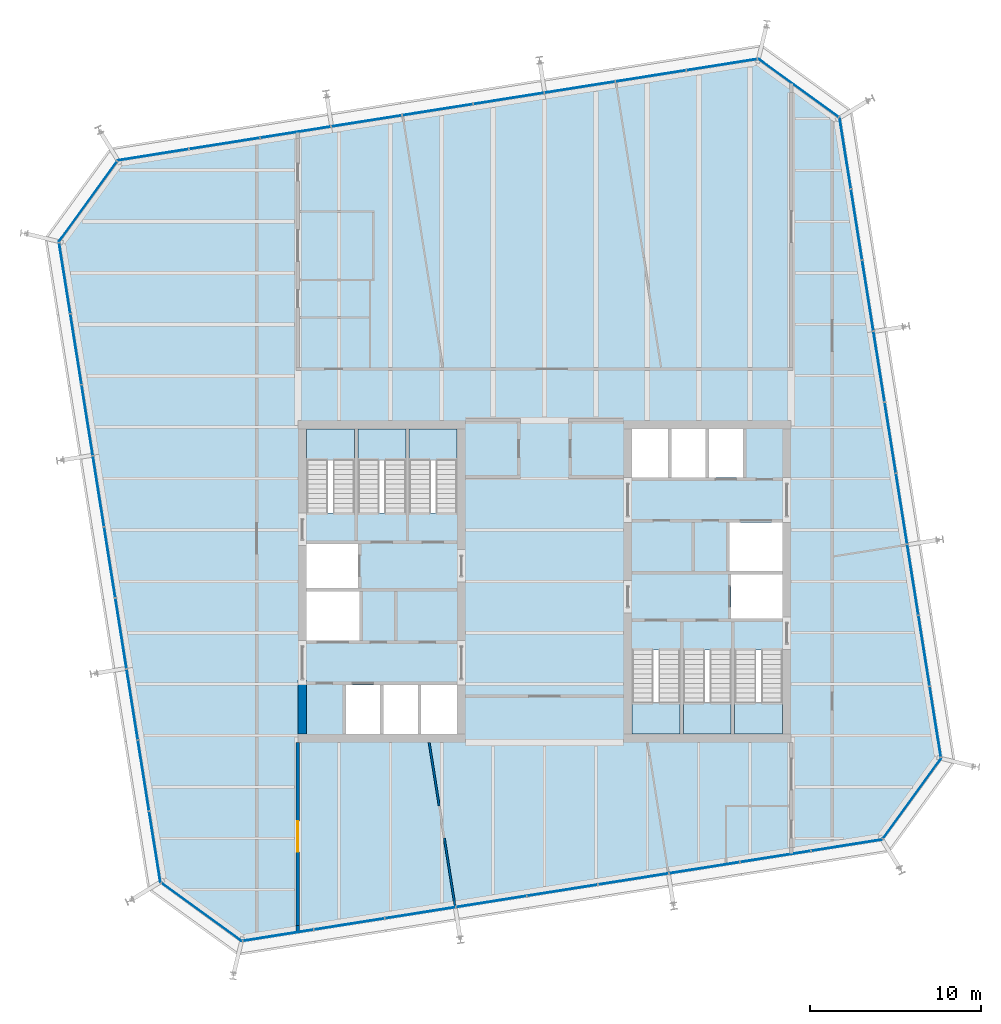
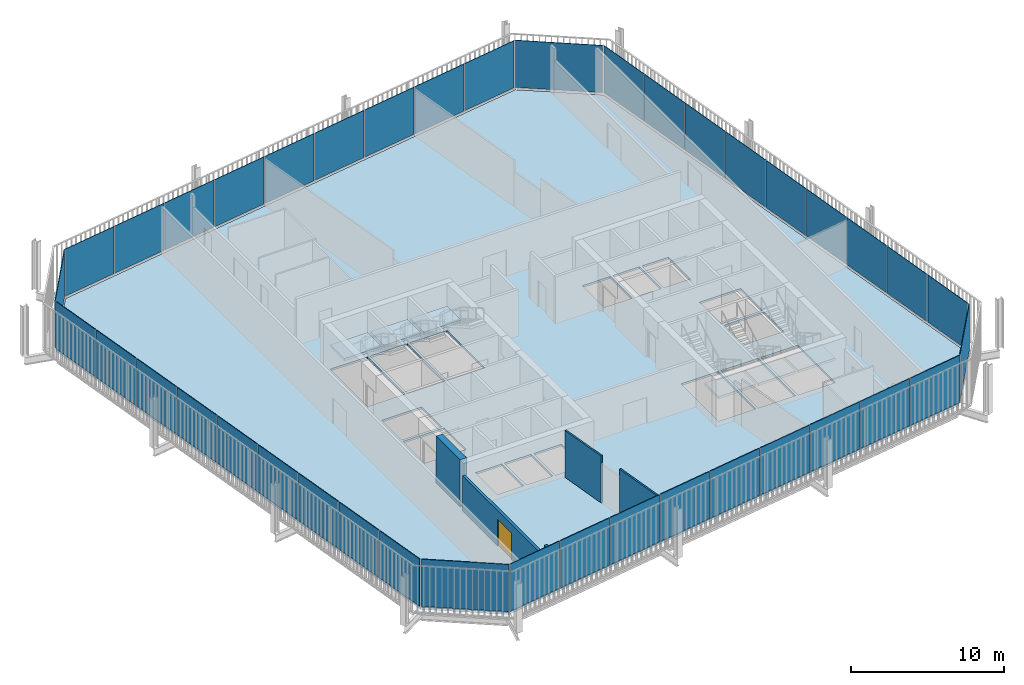
# One storey, part 15 of 20: 40 plates, 7 slabs, 5 walls, 1 door, 1 opening, 14 elements without a shape of their own.
"""IFC4 building model written with IfcOpenShell, lengths in metres."""

import ifcopenshell
import ifcopenshell.guid

model = None  # the IFC model being written
_history = None  # IfcOwnerHistory: only IFC2X3 demands one
_inside = {}  # id of a spatial element -> (the spatial element, [elements in it])
_under = {}  # id of a project, library or spatial element -> (it, [spatial elements below it])
_declared = {}  # id of a project -> (the project, [libraries it declares])
_typed = {}  # id of a type object -> (the type object, [elements of that type])
_made_of = {}  # id of a material, layer set ... -> (it, [elements and type objects made of it])


def new_model(schema):
    """Start an empty IFC model of exactly this schema.

    Asked for "IFC4X3", IfcOpenShell would pick the latest addendum, in which some entities
    have other attributes; the version numbers below select the first issue.
    IFC2X3 requires an IfcOwnerHistory on every rooted entity: one is made here for all.
    """
    global model, _history
    if schema == "IFC4X3":
        model = ifcopenshell.file(schema_version=(4, 3, 0, 0))
    else:
        model = ifcopenshell.file(schema=schema)
    _inside.clear()
    _under.clear()
    _declared.clear()
    _typed.clear()
    _made_of.clear()
    _history = None
    if model.schema == "IFC2X3":
        org = make("IfcOrganization", Name="unknown")
        user = make(
            "IfcPersonAndOrganization",
            ThePerson=make("IfcPerson", FamilyName="unknown"),
            TheOrganization=org,
        )
        app = make(
            "IfcApplication",
            ApplicationDeveloper=org,
            Version="unknown",
            ApplicationFullName="unknown",
            ApplicationIdentifier="unknown",
        )
        _history = make(
            "IfcOwnerHistory",
            OwningUser=user,
            OwningApplication=app,
            ChangeAction="ADDED",
            CreationDate=0,
        )
    return model


def make(cls, **values):
    """One entity of the class cls with the attributes given. An attribute that is None is left unset."""
    return model.create_entity(
        cls, **{name: value for name, value in values.items() if value is not None}
    )


def rooted(cls, **values):
    """An entity with a GlobalId (a new one), such as an element, a storey or a relation."""
    return make(cls, GlobalId=ifcopenshell.guid.new(), OwnerHistory=_history, **values)


def si_unit(unit_type, name, prefix=None):
    """IfcSIUnit, for example si_unit("LENGTHUNIT", "METRE", prefix="MILLI")."""
    return make("IfcSIUnit", UnitType=unit_type, Prefix=prefix, Name=name)


def assignment(units):
    """IfcUnitAssignment: the units of a project."""
    return None if units is None else make("IfcUnitAssignment", Units=units)


def point(xyz):
    """IfcCartesianPoint."""
    return None if xyz is None else make("IfcCartesianPoint", Coordinates=xyz)


def direction(xyz):
    """IfcDirection."""
    return None if xyz is None else make("IfcDirection", DirectionRatios=xyz)


def frame(location, z_axis=None, x_axis=None):
    """IfcAxis2Placement3D, a coordinate frame: its origin and axes. An axis left out is left unset."""
    return make(
        "IfcAxis2Placement3D",
        Location=point(location),
        Axis=direction(z_axis),
        RefDirection=direction(x_axis),
    )


def frame_2d(location, x_axis=None):
    """IfcAxis2Placement2D, a coordinate frame in the plane: its origin and x axis."""
    return make(
        "IfcAxis2Placement2D", Location=point(location), RefDirection=direction(x_axis)
    )


def origin():
    """The frame at (0, 0, 0) with its axes left unset."""
    return frame((0.0, 0.0, 0.0))


def place(relative_to, where):
    """IfcLocalPlacement: puts the frame where relative to a parent placement (None: the world)."""
    return make(
        "IfcLocalPlacement", PlacementRelTo=relative_to, RelativePlacement=where
    )


def context(
    kind, dimensions, precision=None, world=None, true_north=None, identifier=None
):
    """IfcGeometricRepresentationContext, for example the 3D "Model" context."""
    return make(
        "IfcGeometricRepresentationContext",
        ContextIdentifier=identifier,
        ContextType=kind,
        CoordinateSpaceDimension=dimensions,
        Precision=precision,
        WorldCoordinateSystem=world,
        TrueNorth=true_north,
    )


def subcontext(parent, identifier, kind, view, scale=None):
    """IfcGeometricRepresentationSubContext, for example "Body" below "Model"."""
    return make(
        "IfcGeometricRepresentationSubContext",
        ContextIdentifier=identifier,
        ContextType=kind,
        ParentContext=parent,
        TargetScale=scale,
        TargetView=view,
    )


def project(units=None, contexts=None):
    """IfcProject with its units and contexts."""
    return rooted(
        "IfcProject",
        Name="project",
        RepresentationContexts=contexts,
        UnitsInContext=assignment(units),
    )


def spatial(cls, under=None, at=None, **own):
    """A site, building, storey or space (cls), placed at a placement, below another one or the project."""
    s = rooted(cls, ObjectPlacement=at, **own)
    if under is not None:
        _under.setdefault(under.id(), (under, []))[1].append(s)
    return s


def polyline(points):
    """IfcPolyline through the points."""
    return make("IfcPolyline", Points=[point(p) for p in points])


def profile(cls, at=None, kind="AREA", **sizes):
    """A parametric profile (cls). Its sizes go by their IFC names, for example OverallWidth=200.0."""
    return make(cls, ProfileType=kind, Position=at, **sizes)


def rectangle(**sizes):
    """IfcRectangleProfileDef."""
    return profile("IfcRectangleProfileDef", **sizes)


def outline(outer, holes=None, kind="AREA"):
    """IfcArbitraryClosedProfileDef: a profile drawn as a closed curve; with holes, ...WithVoids."""
    if holes is None:
        return make("IfcArbitraryClosedProfileDef", ProfileType=kind, OuterCurve=outer)
    return make(
        "IfcArbitraryProfileDefWithVoids",
        ProfileType=kind,
        OuterCurve=outer,
        InnerCurves=holes,
    )


def extrude(swept, where, along, depth):
    """IfcExtrudedAreaSolid: the profile swept, set in the frame where, extruded along a direction by depth."""
    return make(
        "IfcExtrudedAreaSolid",
        SweptArea=swept,
        Position=where,
        ExtrudedDirection=direction(along),
        Depth=depth,
    )


def shape(context_of_items, identifier, shape_type, items):
    """IfcShapeRepresentation: the items that make up one representation, for example the "Body"."""
    return make(
        "IfcShapeRepresentation",
        ContextOfItems=context_of_items,
        RepresentationIdentifier=identifier,
        RepresentationType=shape_type,
        Items=items,
    )


def material(Name=None, Category=None):
    """IfcMaterial."""
    return make("IfcMaterial", Name=Name, Category=Category)


def layer(
    of_material, thickness, ventilated=None, Name=None, Category=None, Priority=None
):
    """IfcMaterialLayer: one layer of a wall or slab, of a material (None: an air gap)."""
    return make(
        "IfcMaterialLayer",
        Material=of_material,
        LayerThickness=thickness,
        IsVentilated=ventilated,
        Name=Name,
        Category=Category,
        Priority=Priority,
    )


def layer_set(layers, Name=None):
    """IfcMaterialLayerSet."""
    return make("IfcMaterialLayerSet", MaterialLayers=layers, LayerSetName=Name)


def made_of(thing, what):
    """Note that an element or type object is made of a material, layer set ...; save() writes the relation."""
    if what is not None:
        _made_of.setdefault(what.id(), (what, []))[1].append(thing)
    return thing


def type_object(cls, material=None, **own):
    """A type object (cls), such as IfcWallType, which elements share."""
    return made_of(rooted(cls, **own), material)


def element(
    cls,
    number,
    at=None,
    inside=None,
    cuts=None,
    type_object=None,
    material=None,
    context=None,
    identifier="Body",
    shape_type=None,
    held_by="IfcProductDefinitionShape",
    body=None,
    shapes=None,
    **own,
):
    """One element of the class cls, such as IfcWall. Its Tag is "e" and its number.

    at: its placement. inside: the storey or other place that contains it. cuts: it is an
    opening in that element (IfcRelVoidsElement). A single representation is given by context,
    identifier, shape_type and body (its items); several are given by shapes. held_by: the class
    of the entity that holds the representations. save() writes the other relations.
    """
    e = rooted(cls, Tag="e%d" % number, ObjectPlacement=at, **own)
    if body is not None:
        shapes = [shape(context, identifier, shape_type, body)]
    if shapes is not None:
        e.Representation = make(held_by, Representations=shapes)
    if inside is not None:
        _inside.setdefault(inside.id(), (inside, []))[1].append(e)
    if cuts is not None:
        rooted(
            "IfcRelVoidsElement", RelatingBuildingElement=cuts, RelatedOpeningElement=e
        )
    if type_object is not None:
        _typed.setdefault(type_object.id(), (type_object, []))[1].append(e)
    return made_of(e, material)


def fill(opening, filler):
    """IfcRelFillsElement: the door or window that sits in an opening."""
    return rooted(
        "IfcRelFillsElement",
        RelatingOpeningElement=opening,
        RelatedBuildingElement=filler,
    )


def aggregate(whole, parts):
    """IfcRelAggregates: a whole, such as a stair, and the parts it consists of."""
    return rooted("IfcRelAggregates", RelatingObject=whole, RelatedObjects=parts)


def save(model, path):
    """Write the relations noted so far, then the file.

    IfcRelAggregates (storeys below a building ...), IfcRelContainedInSpatialStructure (elements
    in a storey), IfcRelDefinesByType, IfcRelAssociatesMaterial and IfcRelDeclares: one each for
    every whole, place, type object, material and project.
    """
    for whole, parts in _under.values():
        aggregate(whole, parts)
    for where, things in _inside.values():
        rooted(
            "IfcRelContainedInSpatialStructure",
            RelatedElements=things,
            RelatingStructure=where,
        )
    for kind, things in _typed.values():
        rooted("IfcRelDefinesByType", RelatedObjects=things, RelatingType=kind)
    for what, things in _made_of.values():
        rooted("IfcRelAssociatesMaterial", RelatedObjects=things, RelatingMaterial=what)
    for by, libraries in _declared.values():
        rooted("IfcRelDeclares", RelatingContext=by, RelatedDefinitions=libraries)
    model.write(path)


model = new_model("IFC4")

# Units and contexts
model_context = context("Model", 3, precision=1e-05, world=origin(), true_north=direction((0.0, 1.0)))
body_context = subcontext(model_context, "Body", "Model", "MODEL_VIEW")
ifc_project = project(units=[si_unit("LENGTHUNIT", "METRE"), si_unit("AREAUNIT", "SQUARE_METRE"), si_unit("VOLUMEUNIT", "CUBIC_METRE"), si_unit("PLANEANGLEUNIT", "RADIAN"), si_unit("MASSUNIT", "GRAM", prefix="KILO")], contexts=[model_context])

# Site, building, storey
site_placement = place(None, origin())
site = spatial("IfcSite", under=ifc_project, at=site_placement, CompositionType="ELEMENT")
building_placement = place(site_placement, origin())
building = spatial("IfcBuilding", under=site, at=building_placement, Name="Millrace Tower", CompositionType="ELEMENT")
storey_placement = place(building_placement, frame((0.0, 0.0, 232.0)))
storey = spatial("IfcBuildingStorey", under=building, at=storey_placement, Name="L53", CompositionType="ELEMENT", Elevation=232.0)

# Curtain wall, plate
ifc_material_1 = material(Name="Aluminium and glass", Category="aluminium")
ifc_layer_1 = layer(ifc_material_1, 0.14990234375)
ifc_layer_set_1 = layer_set([ifc_layer_1], Name="Aluminium and glass")
curtain_wall_type = type_object("IfcCurtainWallType", Name="CW-1 office vision curtain wall", PredefinedType="NOTDEFINED", material=ifc_layer_set_1)
placement_1 = place(storey_placement, origin())
curtain_wall_1 = element("IfcCurtainWall", 1, at=placement_1, inside=storey, type_object=curtain_wall_type, Name="Curtain wall D-F01 L53", PredefinedType="NOTDEFINED")
ifc_material_2 = material(Name="Glass", Category="glass")
ifc_layer_2 = layer(ifc_material_2, 0.0439453125)
ifc_layer_set_2 = layer_set([ifc_layer_2], Name="Glass")
plate_type = type_object("IfcPlateType", Name="CW-1 office vision curtain wall triple-glazed vision panel", PredefinedType="CURTAIN_PANEL", material=ifc_layer_set_2)
placement_2 = place(storey_placement, frame((0.0, 0.0, 0.139892578125)))
plate_1 = element("IfcPlate", 2, at=placement_2, type_object=plate_type, Name="CW1 panel D-F01.1", PredefinedType="CURTAIN_PANEL", context=body_context, shape_type="SweptSolid", body=[
    extrude(outline(polyline([(-22.36474609375, -17.632080078125), (-17.69384765625, -21.025634765625), (-17.6826171875, -20.979248046875), (-22.3388671875, -17.596435546875), (-22.36474609375, -17.632080078125)])), origin(), (0.0, 0.0, 1.0), 3.760009765625),
])
aggregate(curtain_wall_1, [plate_1])

# Curtain wall, plates
curtain_wall_2 = element("IfcCurtainWall", 3, at=placement_1, inside=storey, type_object=curtain_wall_type, Name="Curtain wall D-F02 L53", PredefinedType="NOTDEFINED")
plate_2 = element("IfcPlate", 4, at=placement_2, type_object=plate_type, Name="CW1 panel D-F02.1", PredefinedType="CURTAIN_PANEL", context=body_context, shape_type="SweptSolid", body=[
    extrude(outline(polyline([(-17.58984375, -21.009033203125), (-13.505859375, -20.3623046875), (-13.5126953125, -20.31884765625), (-17.596923828125, -20.965576171875), (-17.58984375, -21.009033203125)])), origin(), (0.0, 0.0, 1.0), 3.760009765625),
])
plate_3 = element("IfcPlate", 5, at=placement_2, type_object=plate_type, Name="CW1 panel D-F02.2", PredefinedType="CURTAIN_PANEL", context=body_context, shape_type="SweptSolid", body=[
    extrude(outline(polyline([(-13.441650390625, -20.35205078125), (-9.357666015625, -19.705078125), (-9.364501953125, -19.66162109375), (-13.448486328125, -20.30859375), (-13.441650390625, -20.35205078125)])), origin(), (0.0, 0.0, 1.0), 3.760009765625),
])
plate_4 = element("IfcPlate", 6, at=placement_2, type_object=plate_type, Name="CW1 panel D-F02.3", PredefinedType="CURTAIN_PANEL", context=body_context, shape_type="SweptSolid", body=[
    extrude(outline(polyline([(-9.29345703125, -19.695068359375), (-5.209228515625, -19.048095703125), (-5.216064453125, -19.004638671875), (-9.30029296875, -19.651611328125), (-9.29345703125, -19.695068359375)])), origin(), (0.0, 0.0, 1.0), 3.760009765625),
])
plate_5 = element("IfcPlate", 7, at=placement_2, type_object=plate_type, Name="CW1 panel D-F02.4", PredefinedType="CURTAIN_PANEL", context=body_context, shape_type="SweptSolid", body=[
    extrude(outline(polyline([(-5.14501953125, -19.0380859375), (-1.06103515625, -18.39111328125), (-1.06787109375, -18.34765625), (-5.15185546875, -18.99462890625), (-5.14501953125, -19.0380859375)])), origin(), (0.0, 0.0, 1.0), 3.760009765625),
])
plate_6 = element("IfcPlate", 8, at=placement_2, type_object=plate_type, Name="CW1 panel D-F02.5", PredefinedType="CURTAIN_PANEL", context=body_context, shape_type="SweptSolid", body=[
    extrude(outline(polyline([(-0.996826171875, -18.380859375), (3.08740234375, -17.734130859375), (3.080322265625, -17.690673828125), (-1.003662109375, -18.33740234375), (-0.996826171875, -18.380859375)])), origin(), (0.0, 0.0, 1.0), 3.760009765625),
])
plate_7 = element("IfcPlate", 9, at=placement_2, type_object=plate_type, Name="CW1 panel D-F02.6", PredefinedType="CURTAIN_PANEL", context=body_context, shape_type="SweptSolid", body=[
    extrude(outline(polyline([(3.151611328125, -17.723876953125), (7.235595703125, -17.0771484375), (7.228759765625, -17.03369140625), (3.14453125, -17.680419921875), (3.151611328125, -17.723876953125)])), origin(), (0.0, 0.0, 1.0), 3.760009765625),
])
plate_8 = element("IfcPlate", 10, at=placement_2, type_object=plate_type, Name="CW1 panel D-F02.7", PredefinedType="CURTAIN_PANEL", context=body_context, shape_type="SweptSolid", body=[
    extrude(outline(polyline([(7.2998046875, -17.06689453125), (11.3837890625, -16.420166015625), (11.376953125, -16.376708984375), (7.29296875, -17.0234375), (7.2998046875, -17.06689453125)])), origin(), (0.0, 0.0, 1.0), 3.760009765625),
])
plate_9 = element("IfcPlate", 11, at=placement_2, type_object=plate_type, Name="CW1 panel D-F02.8", PredefinedType="CURTAIN_PANEL", context=body_context, shape_type="SweptSolid", body=[
    extrude(outline(polyline([(11.447998046875, -16.409912109375), (15.5322265625, -15.762939453125), (15.525390625, -15.719482421875), (11.441162109375, -16.366455078125), (11.447998046875, -16.409912109375)])), origin(), (0.0, 0.0, 1.0), 3.760009765625),
])
plate_10 = element("IfcPlate", 12, at=placement_2, type_object=plate_type, Name="CW1 panel D-F02.9", PredefinedType="CURTAIN_PANEL", context=body_context, shape_type="SweptSolid", body=[
    extrude(outline(polyline([(15.596435546875, -15.7529296875), (19.72021484375, -15.099853515625), (19.6953125, -15.05908203125), (15.589599609375, -15.70947265625), (15.596435546875, -15.7529296875)])), origin(), (0.0, 0.0, 1.0), 3.760009765625),
])
aggregate(curtain_wall_2, [plate_2, plate_3, plate_4, plate_5, plate_6, plate_7, plate_8, plate_9, plate_10])

# Curtain wall, plate
curtain_wall_3 = element("IfcCurtainWall", 13, at=placement_1, inside=storey, type_object=curtain_wall_type, Name="Curtain wall D-F03 L53", PredefinedType="NOTDEFINED")
plate_11 = element("IfcPlate", 14, at=placement_2, type_object=plate_type, Name="CW1 panel D-F03.1", PredefinedType="CURTAIN_PANEL", context=body_context, shape_type="SweptSolid", body=[
    extrude(outline(polyline([(19.781982421875, -15.0146484375), (23.175537109375, -10.34375), (23.129150390625, -10.332763671875), (19.746337890625, -14.98876953125), (19.781982421875, -15.0146484375)])), origin(), (0.0, 0.0, 1.0), 3.760009765625),
])
aggregate(curtain_wall_3, [plate_11])

# Curtain wall, plates
curtain_wall_4 = element("IfcCurtainWall", 15, at=placement_1, inside=storey, type_object=curtain_wall_type, Name="Curtain wall D-F04 L53", PredefinedType="NOTDEFINED")
plate_12 = element("IfcPlate", 16, at=placement_2, type_object=plate_type, Name="CW1 panel D-F04.1", PredefinedType="CURTAIN_PANEL", context=body_context, shape_type="SweptSolid", body=[
    extrude(outline(polyline([(23.1591796875, -10.239990234375), (22.51220703125, -6.15576171875), (22.46875, -6.162841796875), (23.11572265625, -10.246826171875), (23.1591796875, -10.239990234375)])), origin(), (0.0, 0.0, 1.0), 3.760009765625),
])
plate_13 = element("IfcPlate", 17, at=placement_2, type_object=plate_type, Name="CW1 panel D-F04.2", PredefinedType="CURTAIN_PANEL", context=body_context, shape_type="SweptSolid", body=[
    extrude(outline(polyline([(22.501953125, -6.091552734375), (21.855224609375, -2.007568359375), (21.811767578125, -2.014404296875), (22.45849609375, -6.0986328125), (22.501953125, -6.091552734375)])), origin(), (0.0, 0.0, 1.0), 3.760009765625),
])
plate_14 = element("IfcPlate", 18, at=placement_2, type_object=plate_type, Name="CW1 panel D-F04.3", PredefinedType="CURTAIN_PANEL", context=body_context, shape_type="SweptSolid", body=[
    extrude(outline(polyline([(21.844970703125, -1.943359375), (21.1982421875, 2.140625), (21.15478515625, 2.1337890625), (21.801513671875, -1.9501953125), (21.844970703125, -1.943359375)])), origin(), (0.0, 0.0, 1.0), 3.760009765625),
])
plate_15 = element("IfcPlate", 19, at=placement_2, type_object=plate_type, Name="CW1 panel D-F04.4", PredefinedType="CURTAIN_PANEL", context=body_context, shape_type="SweptSolid", body=[
    extrude(outline(polyline([(21.18798828125, 2.204833984375), (20.541259765625, 6.2890625), (20.497802734375, 6.2822265625), (21.14453125, 2.197998046875), (21.18798828125, 2.204833984375)])), origin(), (0.0, 0.0, 1.0), 3.760009765625),
])
plate_16 = element("IfcPlate", 20, at=placement_2, type_object=plate_type, Name="CW1 panel D-F04.5", PredefinedType="CURTAIN_PANEL", context=body_context, shape_type="SweptSolid", body=[
    extrude(outline(polyline([(20.531005859375, 6.353271484375), (19.884033203125, 10.437255859375), (19.840576171875, 10.430419921875), (20.487548828125, 6.346435546875), (20.531005859375, 6.353271484375)])), origin(), (0.0, 0.0, 1.0), 3.760009765625),
])
plate_17 = element("IfcPlate", 21, at=placement_2, type_object=plate_type, Name="CW1 panel D-F04.6", PredefinedType="CURTAIN_PANEL", context=body_context, shape_type="SweptSolid", body=[
    extrude(outline(polyline([(19.8740234375, 10.50146484375), (19.22705078125, 14.585693359375), (19.18359375, 14.57861328125), (19.83056640625, 10.49462890625), (19.8740234375, 10.50146484375)])), origin(), (0.0, 0.0, 1.0), 3.760009765625),
])
plate_18 = element("IfcPlate", 22, at=placement_2, type_object=plate_type, Name="CW1 panel D-F04.7", PredefinedType="CURTAIN_PANEL", context=body_context, shape_type="SweptSolid", body=[
    extrude(outline(polyline([(19.217041015625, 14.64990234375), (18.570068359375, 18.73388671875), (18.526611328125, 18.72705078125), (19.173583984375, 14.642822265625), (19.217041015625, 14.64990234375)])), origin(), (0.0, 0.0, 1.0), 3.760009765625),
])
plate_19 = element("IfcPlate", 23, at=placement_2, type_object=plate_type, Name="CW1 panel D-F04.8", PredefinedType="CURTAIN_PANEL", context=body_context, shape_type="SweptSolid", body=[
    extrude(outline(polyline([(18.559814453125, 18.798095703125), (17.9130859375, 22.882080078125), (17.86962890625, 22.875244140625), (18.516357421875, 18.791259765625), (18.559814453125, 18.798095703125)])), origin(), (0.0, 0.0, 1.0), 3.760009765625),
])
plate_20 = element("IfcPlate", 24, at=placement_2, type_object=plate_type, Name="CW1 panel D-F04.9", PredefinedType="CURTAIN_PANEL", context=body_context, shape_type="SweptSolid", body=[
    extrude(outline(polyline([(17.90283203125, 22.9462890625), (17.249755859375, 27.070068359375), (17.209228515625, 27.045166015625), (17.859375, 22.939453125), (17.90283203125, 22.9462890625)])), origin(), (0.0, 0.0, 1.0), 3.760009765625),
])
aggregate(curtain_wall_4, [plate_12, plate_13, plate_14, plate_15, plate_16, plate_17, plate_18, plate_19, plate_20])

# Curtain wall, plate
curtain_wall_5 = element("IfcCurtainWall", 25, at=placement_1, inside=storey, type_object=curtain_wall_type, Name="Curtain wall D-F05 L53", PredefinedType="NOTDEFINED")
plate_21 = element("IfcPlate", 26, at=placement_2, type_object=plate_type, Name="CW1 panel D-F05.1", PredefinedType="CURTAIN_PANEL", context=body_context, shape_type="SweptSolid", body=[
    extrude(outline(polyline([(17.16455078125, 27.132080078125), (12.493896484375, 30.525634765625), (12.482666015625, 30.479248046875), (17.138671875, 27.096435546875), (17.16455078125, 27.132080078125)])), origin(), (0.0, 0.0, 1.0), 3.760009765625),
])
aggregate(curtain_wall_5, [plate_21])

# Curtain wall, plates
curtain_wall_6 = element("IfcCurtainWall", 27, at=placement_1, inside=storey, type_object=curtain_wall_type, Name="Curtain wall D-F06 L53", PredefinedType="NOTDEFINED")
plate_22 = element("IfcPlate", 28, at=placement_2, type_object=plate_type, Name="CW1 panel D-F06.1", PredefinedType="CURTAIN_PANEL", context=body_context, shape_type="SweptSolid", body=[
    extrude(outline(polyline([(12.389892578125, 30.509033203125), (8.305908203125, 29.8623046875), (8.312744140625, 29.81884765625), (12.396728515625, 30.465576171875), (12.389892578125, 30.509033203125)])), origin(), (0.0, 0.0, 1.0), 3.760009765625),
])
plate_23 = element("IfcPlate", 29, at=placement_2, type_object=plate_type, Name="CW1 panel D-F06.2", PredefinedType="CURTAIN_PANEL", context=body_context, shape_type="SweptSolid", body=[
    extrude(outline(polyline([(8.24169921875, 29.85205078125), (4.157470703125, 29.205078125), (4.16455078125, 29.16162109375), (8.24853515625, 29.80859375), (8.24169921875, 29.85205078125)])), origin(), (0.0, 0.0, 1.0), 3.760009765625),
])
plate_24 = element("IfcPlate", 30, at=placement_2, type_object=plate_type, Name="CW1 panel D-F06.3", PredefinedType="CURTAIN_PANEL", context=body_context, shape_type="SweptSolid", body=[
    extrude(outline(polyline([(4.09326171875, 29.195068359375), (0.00927734375, 28.548095703125), (0.01611328125, 28.504638671875), (4.100341796875, 29.151611328125), (4.09326171875, 29.195068359375)])), origin(), (0.0, 0.0, 1.0), 3.760009765625),
])
plate_25 = element("IfcPlate", 31, at=placement_2, type_object=plate_type, Name="CW1 panel D-F06.4", PredefinedType="CURTAIN_PANEL", context=body_context, shape_type="SweptSolid", body=[
    extrude(outline(polyline([(-0.054931640625, 28.5380859375), (-4.138916015625, 27.89111328125), (-4.132080078125, 27.84765625), (-0.048095703125, 28.49462890625), (-0.054931640625, 28.5380859375)])), origin(), (0.0, 0.0, 1.0), 3.760009765625),
])
plate_26 = element("IfcPlate", 32, at=placement_2, type_object=plate_type, Name="CW1 panel D-F06.5", PredefinedType="CURTAIN_PANEL", context=body_context, shape_type="SweptSolid", body=[
    extrude(outline(polyline([(-4.203125, 27.880859375), (-8.287353515625, 27.234130859375), (-8.280517578125, 27.190673828125), (-4.1962890625, 27.83740234375), (-4.203125, 27.880859375)])), origin(), (0.0, 0.0, 1.0), 3.760009765625),
])
plate_27 = element("IfcPlate", 33, at=placement_2, type_object=plate_type, Name="CW1 panel D-F06.6", PredefinedType="CURTAIN_PANEL", context=body_context, shape_type="SweptSolid", body=[
    extrude(outline(polyline([(-8.3515625, 27.223876953125), (-12.435546875, 26.5771484375), (-12.4287109375, 26.53369140625), (-8.3447265625, 27.180419921875), (-8.3515625, 27.223876953125)])), origin(), (0.0, 0.0, 1.0), 3.760009765625),
])
plate_28 = element("IfcPlate", 34, at=placement_2, type_object=plate_type, Name="CW1 panel D-F06.7", PredefinedType="CURTAIN_PANEL", context=body_context, shape_type="SweptSolid", body=[
    extrude(outline(polyline([(-12.499755859375, 26.56689453125), (-16.583984375, 25.920166015625), (-16.576904296875, 25.876708984375), (-12.492919921875, 26.5234375), (-12.499755859375, 26.56689453125)])), origin(), (0.0, 0.0, 1.0), 3.760009765625),
])
plate_29 = element("IfcPlate", 35, at=placement_2, type_object=plate_type, Name="CW1 panel D-F06.8", PredefinedType="CURTAIN_PANEL", context=body_context, shape_type="SweptSolid", body=[
    extrude(outline(polyline([(-16.648193359375, 25.909912109375), (-20.732177734375, 25.262939453125), (-20.725341796875, 25.219482421875), (-16.64111328125, 25.866455078125), (-16.648193359375, 25.909912109375)])), origin(), (0.0, 0.0, 1.0), 3.760009765625),
])
plate_30 = element("IfcPlate", 36, at=placement_2, type_object=plate_type, Name="CW1 panel D-F06.9", PredefinedType="CURTAIN_PANEL", context=body_context, shape_type="SweptSolid", body=[
    extrude(outline(polyline([(-20.79638671875, 25.2529296875), (-24.920166015625, 24.599853515625), (-24.895263671875, 24.55908203125), (-20.78955078125, 25.20947265625), (-20.79638671875, 25.2529296875)])), origin(), (0.0, 0.0, 1.0), 3.760009765625),
])
aggregate(curtain_wall_6, [plate_22, plate_23, plate_24, plate_25, plate_26, plate_27, plate_28, plate_29, plate_30])

# Curtain wall, plate
curtain_wall_7 = element("IfcCurtainWall", 37, at=placement_1, inside=storey, type_object=curtain_wall_type, Name="Curtain wall D-F07 L53", PredefinedType="NOTDEFINED")
plate_31 = element("IfcPlate", 38, at=placement_2, type_object=plate_type, Name="CW1 panel D-F07.1", PredefinedType="CURTAIN_PANEL", context=body_context, shape_type="SweptSolid", body=[
    extrude(outline(polyline([(-24.98193359375, 24.5146484375), (-28.37548828125, 19.84375), (-28.329345703125, 19.832763671875), (-24.9462890625, 24.48876953125), (-24.98193359375, 24.5146484375)])), origin(), (0.0, 0.0, 1.0), 3.760009765625),
])
aggregate(curtain_wall_7, [plate_31])

# Curtain wall, plates
curtain_wall_8 = element("IfcCurtainWall", 39, at=placement_1, inside=storey, type_object=curtain_wall_type, Name="Curtain wall D-F08 L53", PredefinedType="NOTDEFINED")
plate_32 = element("IfcPlate", 40, at=placement_2, type_object=plate_type, Name="CW1 panel D-F08.1", PredefinedType="CURTAIN_PANEL", context=body_context, shape_type="SweptSolid", body=[
    extrude(outline(polyline([(-28.359130859375, 19.739990234375), (-27.712158203125, 15.65576171875), (-27.668701171875, 15.662841796875), (-28.315673828125, 19.746826171875), (-28.359130859375, 19.739990234375)])), origin(), (0.0, 0.0, 1.0), 3.760009765625),
])
plate_33 = element("IfcPlate", 41, at=placement_2, type_object=plate_type, Name="CW1 panel D-F08.2", PredefinedType="CURTAIN_PANEL", context=body_context, shape_type="SweptSolid", body=[
    extrude(outline(polyline([(-27.7021484375, 15.591552734375), (-27.05517578125, 11.507568359375), (-27.01171875, 11.514404296875), (-27.65869140625, 15.5986328125), (-27.7021484375, 15.591552734375)])), origin(), (0.0, 0.0, 1.0), 3.760009765625),
])
plate_34 = element("IfcPlate", 42, at=placement_2, type_object=plate_type, Name="CW1 panel D-F08.3", PredefinedType="CURTAIN_PANEL", context=body_context, shape_type="SweptSolid", body=[
    extrude(outline(polyline([(-27.044921875, 11.443359375), (-26.398193359375, 7.359375), (-26.354736328125, 7.3662109375), (-27.00146484375, 11.4501953125), (-27.044921875, 11.443359375)])), origin(), (0.0, 0.0, 1.0), 3.760009765625),
])
plate_35 = element("IfcPlate", 43, at=placement_2, type_object=plate_type, Name="CW1 panel D-F08.4", PredefinedType="CURTAIN_PANEL", context=body_context, shape_type="SweptSolid", body=[
    extrude(outline(polyline([(-26.387939453125, 7.295166015625), (-25.7412109375, 3.2109375), (-25.69775390625, 3.2177734375), (-26.344482421875, 7.302001953125), (-26.387939453125, 7.295166015625)])), origin(), (0.0, 0.0, 1.0), 3.760009765625),
])
plate_36 = element("IfcPlate", 44, at=placement_2, type_object=plate_type, Name="CW1 panel D-F08.5", PredefinedType="CURTAIN_PANEL", context=body_context, shape_type="SweptSolid", body=[
    extrude(outline(polyline([(-25.73095703125, 3.146728515625), (-25.084228515625, -0.937255859375), (-25.040771484375, -0.930419921875), (-25.6875, 3.153564453125), (-25.73095703125, 3.146728515625)])), origin(), (0.0, 0.0, 1.0), 3.760009765625),
])
plate_37 = element("IfcPlate", 45, at=placement_2, type_object=plate_type, Name="CW1 panel D-F08.6", PredefinedType="CURTAIN_PANEL", context=body_context, shape_type="SweptSolid", body=[
    extrude(outline(polyline([(-25.073974609375, -1.00146484375), (-24.427001953125, -5.085693359375), (-24.383544921875, -5.07861328125), (-25.030517578125, -0.99462890625), (-25.073974609375, -1.00146484375)])), origin(), (0.0, 0.0, 1.0), 3.760009765625),
])
plate_38 = element("IfcPlate", 46, at=placement_2, type_object=plate_type, Name="CW1 panel D-F08.7", PredefinedType="CURTAIN_PANEL", context=body_context, shape_type="SweptSolid", body=[
    extrude(outline(polyline([(-24.4169921875, -5.14990234375), (-23.77001953125, -9.23388671875), (-23.7265625, -9.22705078125), (-24.37353515625, -5.142822265625), (-24.4169921875, -5.14990234375)])), origin(), (0.0, 0.0, 1.0), 3.760009765625),
])
plate_39 = element("IfcPlate", 47, at=placement_2, type_object=plate_type, Name="CW1 panel D-F08.8", PredefinedType="CURTAIN_PANEL", context=body_context, shape_type="SweptSolid", body=[
    extrude(outline(polyline([(-23.760009765625, -9.298095703125), (-23.113037109375, -13.382080078125), (-23.069580078125, -13.375244140625), (-23.716552734375, -9.291259765625), (-23.760009765625, -9.298095703125)])), origin(), (0.0, 0.0, 1.0), 3.760009765625),
])
plate_40 = element("IfcPlate", 48, at=placement_2, type_object=plate_type, Name="CW1 panel D-F08.9", PredefinedType="CURTAIN_PANEL", context=body_context, shape_type="SweptSolid", body=[
    extrude(outline(polyline([(-23.102783203125, -13.4462890625), (-22.44970703125, -17.570068359375), (-22.4091796875, -17.545166015625), (-23.059326171875, -13.439453125), (-23.102783203125, -13.4462890625)])), origin(), (0.0, 0.0, 1.0), 3.760009765625),
])
aggregate(curtain_wall_8, [plate_32, plate_33, plate_34, plate_35, plate_36, plate_37, plate_38, plate_39, plate_40])

# Slab
ifc_material_3 = material(Name="Concrete C35 on steel deck", Category="concrete")
ifc_layer_3 = layer(ifc_material_3, 0.159912109375)
ifc_layer_set_3 = layer_set([ifc_layer_3], Name="Concrete C35 on steel deck")
slab_type_1 = type_object("IfcSlabType", Name="Composite floor slab 160 mm", PredefinedType="FLOOR", material=ifc_layer_set_3)
slab_1_placement = place(storey_placement, frame((0.0, 0.0, -0.159912109375)))
element("IfcSlab", 49, at=slab_1_placement, inside=storey, type_object=slab_type_1, Name="SL-D-L53-S1", PredefinedType="FLOOR", context=body_context, shape_type="SweptSolid", body=[
    extrude(outline(polyline([(-22.360107421875, -17.515380859375), (-17.66943359375, -20.92333984375), (19.665283203125, -15.01025390625), (23.073486328125, -10.3193359375), (17.16015625, 27.015380859375), (12.46923828125, 30.42333984375), (-24.865234375, 24.51025390625), (-28.2734375, 19.8193359375), (-22.360107421875, -17.515380859375)]), holes=[polyline([(-11.60009765625, -8.89990234375), (-9.60009765625, -8.89990234375), (-9.60009765625, -6.050048828125), (-11.60009765625, -6.050048828125), (-11.60009765625, -8.89990234375)]), polyline([(-9.39990234375, -8.89990234375), (-7.39990234375, -8.89990234375), (-7.39990234375, -6.050048828125), (-9.39990234375, -6.050048828125), (-9.39990234375, -8.89990234375)]), polyline([(-7.199951171875, -8.89990234375), (-5.10009765625, -8.89990234375), (-5.10009765625, -6.050048828125), (-7.199951171875, -6.050048828125), (-7.199951171875, -8.89990234375)]), polyline([(-13.89990234375, -3.449951171875), (-10.800048828125, -3.449951171875), (-10.800048828125, -0.60009765625), (-13.89990234375, -0.60009765625), (-13.89990234375, -3.449951171875)]), polyline([(-13.89990234375, -0.39990234375), (-10.89990234375, -0.39990234375), (-10.89990234375, 2.179931640625), (-13.89990234375, 2.179931640625), (-13.89990234375, -0.39990234375)]), polyline([(-13.89990234375, 4.0), (-11.10009765625, 4.0), (-11.10009765625, 8.89990234375), (-13.89990234375, 8.89990234375), (-13.89990234375, 4.0)]), polyline([(-10.89990234375, 4.0), (-8.10009765625, 4.0), (-8.10009765625, 8.89990234375), (-10.89990234375, 8.89990234375), (-10.89990234375, 4.0)]), polyline([(-7.89990234375, 4.0), (-5.10009765625, 4.0), (-5.10009765625, 8.89990234375), (-7.89990234375, 8.89990234375), (-7.89990234375, 4.0)]), polyline([(9.60009765625, 6.050048828125), (11.60009765625, 6.050048828125), (11.60009765625, 8.89990234375), (9.60009765625, 8.89990234375), (9.60009765625, 6.050048828125)]), polyline([(7.39990234375, 6.050048828125), (9.39990234375, 6.050048828125), (9.39990234375, 8.89990234375), (7.39990234375, 8.89990234375), (7.39990234375, 6.050048828125)]), polyline([(5.10009765625, 6.050048828125), (7.199951171875, 6.050048828125), (7.199951171875, 8.89990234375), (5.10009765625, 8.89990234375), (5.10009765625, 6.050048828125)]), polyline([(10.800048828125, 0.60009765625), (13.89990234375, 0.60009765625), (13.89990234375, 3.449951171875), (10.800048828125, 3.449951171875), (10.800048828125, 0.60009765625)]), polyline([(10.89990234375, -2.179931640625), (13.89990234375, -2.179931640625), (13.89990234375, 0.39990234375), (10.89990234375, 0.39990234375), (10.89990234375, -2.179931640625)]), polyline([(11.10009765625, -8.89990234375), (13.89990234375, -8.89990234375), (13.89990234375, -4.0), (11.10009765625, -4.0), (11.10009765625, -8.89990234375)]), polyline([(8.10009765625, -8.89990234375), (10.89990234375, -8.89990234375), (10.89990234375, -4.0), (8.10009765625, -4.0), (8.10009765625, -8.89990234375)]), polyline([(5.10009765625, -8.89990234375), (7.89990234375, -8.89990234375), (7.89990234375, -4.0), (5.10009765625, -4.0), (5.10009765625, -8.89990234375)])]), origin(), (0.0, 0.0, 1.0), 0.159912109375),
])

# Stair, slab
ifc_material_4 = material(Name="Concrete C35", Category="concrete")
stair_type = type_object("IfcStairType", Name="Exit stair", PredefinedType="HALF_TURN_STAIR", material=ifc_material_4)
stair_1 = element("IfcStair", 50, at=placement_1, inside=storey, type_object=stair_type, Name="Stair 1 W L53", PredefinedType="HALF_TURN_STAIR")
ifc_material_5 = material(Name="Concrete C40", Category="concrete")
ifc_layer_4 = layer(ifc_material_5, 0.199951171875)
ifc_layer_set_4 = layer_set([ifc_layer_4], Name="Concrete C40")
slab_type_2 = type_object("IfcSlabType", Name="Stair landing", PredefinedType="LANDING", material=ifc_layer_set_4)
placement_3 = place(storey_placement, frame((0.0, 0.0, 1.75)))
slab_2 = element("IfcSlab", 51, at=placement_3, type_object=slab_type_2, Name="ST12 landing 1", PredefinedType="LANDING", context=body_context, shape_type="SweptSolid", body=[
    extrude(outline(polyline([(-13.89990234375, 7.080078125), (-11.10009765625, 7.080078125), (-11.10009765625, 8.89990234375), (-13.89990234375, 8.89990234375), (-13.89990234375, 7.080078125)])), origin(), (0.0, 0.0, 1.0), 0.199951171875),
])
aggregate(stair_1, [slab_2])

stair_2 = element("IfcStair", 52, at=placement_1, inside=storey, type_object=stair_type, Name="Stair 2 W L53", PredefinedType="HALF_TURN_STAIR")
slab_3 = element("IfcSlab", 53, at=placement_3, type_object=slab_type_2, Name="ST12 landing 1", PredefinedType="LANDING", context=body_context, shape_type="SweptSolid", body=[
    extrude(outline(polyline([(-10.89990234375, 7.080078125), (-8.10009765625, 7.080078125), (-8.10009765625, 8.89990234375), (-10.89990234375, 8.89990234375), (-10.89990234375, 7.080078125)])), origin(), (0.0, 0.0, 1.0), 0.199951171875),
])
aggregate(stair_2, [slab_3])

stair_3 = element("IfcStair", 54, at=placement_1, inside=storey, type_object=stair_type, Name="Stair 3 W L53", PredefinedType="HALF_TURN_STAIR")
slab_4 = element("IfcSlab", 55, at=placement_3, type_object=slab_type_2, Name="ST12 landing 1", PredefinedType="LANDING", context=body_context, shape_type="SweptSolid", body=[
    extrude(outline(polyline([(-7.89990234375, 7.080078125), (-5.10009765625, 7.080078125), (-5.10009765625, 8.89990234375), (-7.89990234375, 8.89990234375), (-7.89990234375, 7.080078125)])), origin(), (0.0, 0.0, 1.0), 0.199951171875),
])
aggregate(stair_3, [slab_4])

stair_4 = element("IfcStair", 56, at=placement_1, inside=storey, type_object=stair_type, Name="Stair 1 E L53", PredefinedType="HALF_TURN_STAIR")
slab_5 = element("IfcSlab", 57, at=placement_3, type_object=slab_type_2, Name="ST12 landing 1", PredefinedType="LANDING", context=body_context, shape_type="SweptSolid", body=[
    extrude(outline(polyline([(11.10009765625, -8.89990234375), (13.89990234375, -8.89990234375), (13.89990234375, -7.080078125), (11.10009765625, -7.080078125), (11.10009765625, -8.89990234375)])), origin(), (0.0, 0.0, 1.0), 0.199951171875),
])
aggregate(stair_4, [slab_5])

stair_5 = element("IfcStair", 58, at=placement_1, inside=storey, type_object=stair_type, Name="Stair 2 E L53", PredefinedType="HALF_TURN_STAIR")
slab_6 = element("IfcSlab", 59, at=placement_3, type_object=slab_type_2, Name="ST12 landing 1", PredefinedType="LANDING", context=body_context, shape_type="SweptSolid", body=[
    extrude(outline(polyline([(8.10009765625, -8.89990234375), (10.89990234375, -8.89990234375), (10.89990234375, -7.080078125), (8.10009765625, -7.080078125), (8.10009765625, -8.89990234375)])), origin(), (0.0, 0.0, 1.0), 0.199951171875),
])
aggregate(stair_5, [slab_6])

stair_6 = element("IfcStair", 60, at=placement_1, inside=storey, type_object=stair_type, Name="Stair 3 E L53", PredefinedType="HALF_TURN_STAIR")
slab_7 = element("IfcSlab", 61, at=placement_3, type_object=slab_type_2, Name="ST12 landing 1", PredefinedType="LANDING", context=body_context, shape_type="SweptSolid", body=[
    extrude(outline(polyline([(5.10009765625, -8.89990234375), (7.89990234375, -8.89990234375), (7.89990234375, -7.080078125), (5.10009765625, -7.080078125), (5.10009765625, -8.89990234375)])), origin(), (0.0, 0.0, 1.0), 0.199951171875),
])
aggregate(stair_6, [slab_7])

# Walls
ifc_material_6 = material(Name="Concrete C60", Category="concrete")
ifc_layer_5 = layer(ifc_material_6, 0.5)
ifc_layer_set_5 = layer_set([ifc_layer_5], Name="Concrete C60")
wall_type_1 = type_object("IfcWallType", Name="Core wall 500 Concrete C60", PredefinedType="SHEAR", material=ifc_layer_set_5)
wall_1_placement = place(storey_placement, frame((-14.14990234375, -8.89990234375, 0.0), z_axis=(0.0, 0.0, 1.0), x_axis=(0.0, 1.0, 0.0)))
element("IfcWall", 62, at=wall_1_placement, inside=storey, type_object=wall_type_1, Name="Core wall W L53", PredefinedType="SHEAR", context=body_context, shape_type="SweptSolid", body=[
    extrude(rectangle(XDim=3.14990234375, YDim=0.5, at=frame_2d((1.574951171875, 0.0))), origin(), (0.0, 0.0, 1.0), 3.739990234375),
])
ifc_material_7 = material(Name="Masonry partition, fire-rated", Category="masonry")
ifc_layer_6 = layer(ifc_material_7, 0.199951171875)
ifc_layer_set_6 = layer_set([ifc_layer_6], Name="Masonry partition, fire-rated")
wall_type_2 = type_object("IfcWallType", Name="Corridor wall 200", PredefinedType="PARTITIONING", material=ifc_layer_set_6)
wall_2_placement = place(storey_placement, frame((-14.39990234375, -20.43603515625, 0.0), z_axis=(0.0, 0.0, 1.0), x_axis=(0.0, 1.0, 0.0)))
element("IfcWall", 63, at=wall_2_placement, inside=storey, type_object=wall_type_2, Name="Corridor wall L53", PredefinedType="PARTITIONING", context=body_context, shape_type="SweptSolid", body=[
    extrude(rectangle(XDim=0.349609375, YDim=0.199951171875, at=frame_2d((0.1748046875, 0.0))), origin(), (0.0, 0.0, 1.0), 3.739990234375),
])

# Wall, opening, door
wall_3_placement = place(storey_placement, frame((-14.39990234375, -20.08642578125, 0.0), z_axis=(0.0, 0.0, 1.0), x_axis=(0.0, 1.0, 0.0)))
wall_3 = element("IfcWall", 64, at=wall_3_placement, inside=storey, type_object=wall_type_2, Name="Corridor wall L53", PredefinedType="PARTITIONING", context=body_context, shape_type="SweptSolid", body=[
    extrude(rectangle(XDim=10.6865234375, YDim=0.199951171875, at=frame_2d((5.34326171875, 0.0))), origin(), (0.0, 0.0, 1.0), 2.81298828125),
])
opening_placement = place(wall_3_placement, frame((4.2939453125, 0.0, 0.0)))
opening = element("IfcOpeningElement", 65, at=opening_placement, cuts=wall_3, Name="Opening 53-P012", PredefinedType="OPENING", context=body_context, shape_type="SweptSolid", body=[
    extrude(rectangle(XDim=1.800048828125, YDim=2.10009765625, at=frame_2d((0.89990234375, 1.050048828125))), frame((0.0, 0.10986328125, 0.0), z_axis=(0.0, -1.0, 0.0), x_axis=(1.0, 0.0, 0.0)), (0.0, 0.0, 1.0), 0.219970703125),
])
ifc_material_8 = material(Name="Steel door set, fire-rated", Category="steel")
door_type = type_object("IfcDoorType", Name="Corridor door 1800 x 2100", OperationType="DOUBLE_DOOR_SINGLE_SWING", PredefinedType="DOOR", material=ifc_material_8)
door_placement = place(opening_placement, frame((1.800048828125, 0.0, 0.0), z_axis=(0.0, 0.0, 1.0), x_axis=(-1.0, 0.0, 0.0)))
door = element("IfcDoor", 66, at=door_placement, inside=storey, type_object=door_type, Name="Door 53-P012", OperationType="DOUBLE_DOOR_SINGLE_SWING", OverallHeight=2.10009765625, OverallWidth=1.800048828125, PredefinedType="DOOR", context=body_context, shape_type="SweptSolid", body=[
    extrude(rectangle(XDim=1.800048828125, YDim=2.10009765625, at=frame_2d((0.89990234375, 1.050048828125))), frame((0.0, 0.02490234375, 0.0), z_axis=(0.0, -1.0, 0.0), x_axis=(1.0, 0.0, 0.0)), (0.0, 0.0, 1.0), 0.050048828125),
])
fill(opening, door)

# Walls
ifc_material_9 = material(Name="Gypsum board partition")
ifc_layer_7 = layer(ifc_material_9, 0.1201171875)
ifc_layer_set_7 = layer_set([ifc_layer_7], Name="Gypsum board partition")
wall_type_3 = type_object("IfcWallType", Name="Partition wall 120", PredefinedType="PARTITIONING", material=ifc_layer_set_7)
wall_4_placement = place(storey_placement, frame((-6.737060546875, -9.39990234375, 0.0), z_axis=(0.0, 0.0, 1.0), x_axis=(0.156382059487, -0.987696639394, 0.0)))
element("IfcWall", 67, at=wall_4_placement, inside=storey, type_object=wall_type_3, Name="Partition wall L53", PredefinedType="PARTITIONING", context=body_context, shape_type="SweptSolid", body=[
    extrude(rectangle(XDim=3.765625, YDim=0.1201171875, at=frame_2d((1.8828125, 0.0))), origin(), (0.0, 0.0, 1.0), 3.739990234375),
])
wall_5_placement = place(storey_placement, frame((-5.851806640625, -14.99267578125, 0.0), z_axis=(0.0, 0.0, 1.0), x_axis=(0.15636605837, -0.987699172719, 0.0)))
element("IfcWall", 68, at=wall_5_placement, inside=storey, type_object=wall_type_3, Name="Partition wall L53", PredefinedType="PARTITIONING", context=body_context, shape_type="SweptSolid", body=[
    extrude(rectangle(XDim=4.039306640625, YDim=0.1201171875, at=frame_2d((2.01953125, 0.0))), origin(), (0.0, 0.0, 1.0), 3.739990234375),
])

save(model, "model.ifc")
